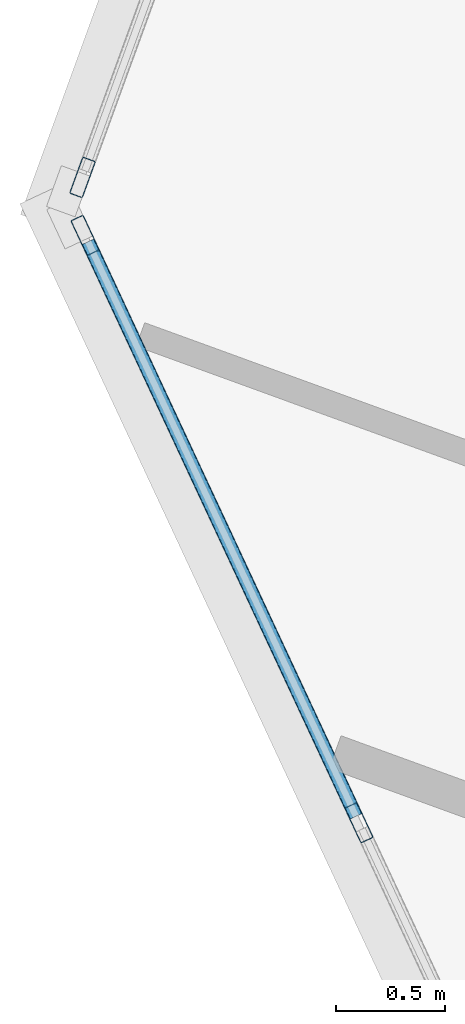
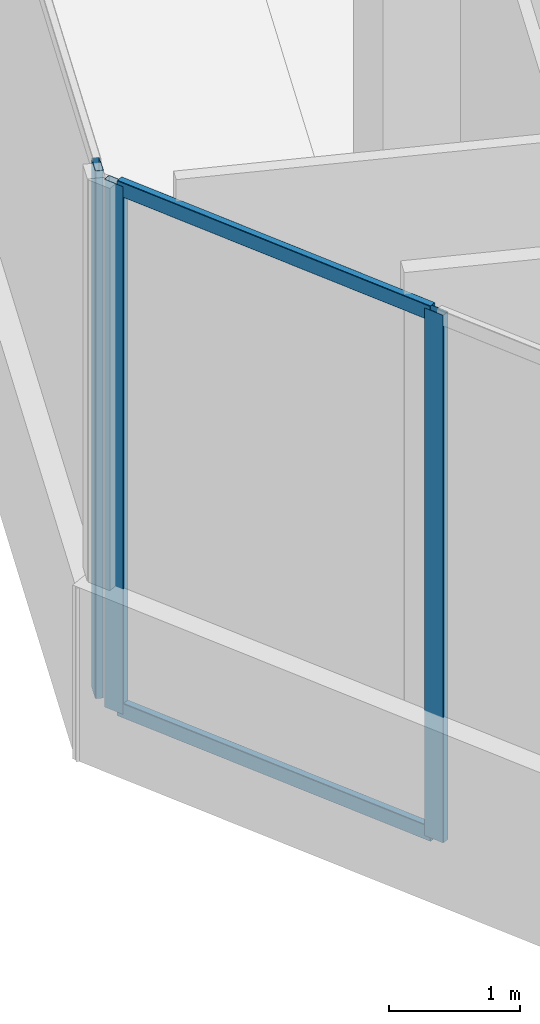
# One storey, part 3 of 21: 5 members, 2 elements without a shape of their own.
"""IFC4 building model written with IfcOpenShell, lengths in metres."""

from ifc_helpers import new_model, si_unit, direction, frame, origin, origin_2d, place, context, subcontext, project, spatial, hollow_rectangle, extrude, source, transform, mapped, material, material_profile, profile_set, type_object, element, aggregate, save


model = new_model("IFC4")

# Units and contexts
model_context = context("Model", 3, precision=1e-05, world=origin(), true_north=direction((0.0, 1.0)))
body_context = subcontext(model_context, "Body", "Model", "MODEL_VIEW")
ifc_project = project(units=[si_unit("LENGTHUNIT", "METRE"), si_unit("AREAUNIT", "SQUARE_METRE"), si_unit("VOLUMEUNIT", "CUBIC_METRE"), si_unit("PLANEANGLEUNIT", "RADIAN"), si_unit("MASSUNIT", "GRAM", prefix="KILO")], contexts=[model_context])

# Site, building, storey
site_placement = place(None, origin())
site = spatial("IfcSite", under=ifc_project, at=site_placement, CompositionType="ELEMENT")
building_placement = place(site_placement, origin())
building = spatial("IfcBuilding", under=site, at=building_placement, Name="Torre Montelarca", CompositionType="ELEMENT")
storey_placement = place(building_placement, frame((0.0, 0.0, 127.60009765625)))
storey = spatial("IfcBuildingStorey", under=building, at=storey_placement, Name="L28", CompositionType="ELEMENT", Elevation=127.60009765625)

# Curtain wall, members
ifc_material_1 = material(Name="Insulated low-E laminated glass", Category="glass")
curtain_wall_type = type_object("IfcCurtainWallType", Name="CW-SYS-Z2", PredefinedType="USERDEFINED", material=ifc_material_1)
curtain_wall_1_placement = place(storey_placement, origin())
curtain_wall_1 = element("IfcCurtainWall", 1, at=curtain_wall_1_placement, inside=storey, type_object=curtain_wall_type, Name="L28 Curtain Wall Run CW-T3-L28-E11-B1", ObjectType="UNITISED GLAZING", PredefinedType="USERDEFINED")
ifc_material_2 = material(Name="Anodised aluminium AA 6063-T6", Category="aluminium")
ifc_material_profile_1 = material_profile(ifc_material_2, hollow_rectangle(XDim=0.06494140625, YDim=0.139892578125, WallThickness=0.00390625, InnerFilletRadius=0.00390625, OuterFilletRadius=0.008056640625, at=origin_2d()), Name="ALU65X140X4", Category="aluminium")
ifc_profile_set_1 = profile_set([ifc_material_profile_1], Name="Anodised aluminium AA 6063-T6")
member_type_1 = type_object("IfcMemberType", Name="CWT-ALU140", PredefinedType="USERDEFINED", material=ifc_profile_set_1)
shared_shape_1 = source(origin(), body_context, "Body", "SweptSolid", [
    extrude(hollow_rectangle(XDim=0.06494140625, YDim=0.139892578125, WallThickness=0.00390625, InnerFilletRadius=0.00390625, OuterFilletRadius=0.008056640625, at=origin_2d()), origin(), (0.0, 0.0, 1.0), 2.918701171875),
])
member_1_placement = place(storey_placement, frame((-2.421875, 26.0517578125, 0.032470703125), z_axis=(0.422587791305, -0.90632199501, 0.0), x_axis=(0.90632199501, 0.422587791305, 0.0)))
member_1 = element("IfcMember", 2, at=member_1_placement, type_object=member_type_1, Name="CW transom 1.1", ObjectType="TRANSOM", PredefinedType="USERDEFINED", context=body_context, shape_type="MappedRepresentation", body=[
    mapped(shared_shape_1, transform((0.0, 0.0, 0.0), scale=1.0)),
])
member_2_placement = place(storey_placement, frame((-2.421875, 26.0517578125, 4.887451171875), z_axis=(0.422587791305, -0.90632199501, 0.0), x_axis=(0.90632199501, 0.422587791305, 0.0)))
member_2 = element("IfcMember", 3, at=member_2_placement, type_object=member_type_1, Name="CW transom 1.2", ObjectType="TRANSOM", PredefinedType="USERDEFINED", context=body_context, shape_type="MappedRepresentation", body=[
    mapped(shared_shape_1, transform((0.0, 0.0, 0.0), scale=1.0)),
])

# Curtain wall, member
curtain_wall_2_placement = place(storey_placement, origin())
curtain_wall_2 = element("IfcCurtainWall", 4, at=curtain_wall_2_placement, inside=storey, type_object=curtain_wall_type, Name="L28 Curtain Wall Run CW-T3-L28-E10-B1", ObjectType="UNITISED GLAZING", PredefinedType="USERDEFINED")
ifc_material_profile_2 = material_profile(ifc_material_2, hollow_rectangle(XDim=0.06494140625, YDim=0.179931640625, WallThickness=0.00390625, InnerFilletRadius=0.00390625, OuterFilletRadius=0.008056640625, at=origin_2d()), Name="ALU65X180X4", Category="aluminium")
ifc_profile_set_2 = profile_set([ifc_material_profile_2], Name="Anodised aluminium AA 6063-T6")
member_type_2 = type_object("IfcMemberType", Name="CWM-ALU180", PredefinedType="MULLION", material=ifc_profile_set_2)
shared_shape_2 = source(origin(), body_context, "Body", "SweptSolid", [
    extrude(hollow_rectangle(XDim=0.06494140625, YDim=0.179931640625, WallThickness=0.00390625, InnerFilletRadius=0.00390625, OuterFilletRadius=0.008056640625, at=origin_2d()), origin(), (0.0, 0.0, 1.0), 4.919921875),
])
member_3_placement = place(storey_placement, frame((-2.447265625, 26.347900390625, 0.0), z_axis=(0.0, 0.0, 1.0), x_axis=(0.939692985234, -0.342019142012, 0.0)))
member_3 = element("IfcMember", 5, at=member_3_placement, type_object=member_type_2, Name="CW mullion 3", PredefinedType="MULLION", context=body_context, shape_type="MappedRepresentation", body=[
    mapped(shared_shape_2, transform((0.0, 0.0, 0.0), scale=1.0)),
])
aggregate(curtain_wall_2, [member_3])

# Member
member_4_placement = place(storey_placement, frame((-2.435546875, 26.0810546875, 0.0), z_axis=(0.0, 0.0, 1.0), x_axis=(0.906317349192, 0.422597755027, 0.0)))
member_4 = element("IfcMember", 6, at=member_4_placement, type_object=member_type_2, Name="CW mullion 1", PredefinedType="MULLION", context=body_context, shape_type="MappedRepresentation", body=[
    mapped(shared_shape_2, transform((0.0, 0.0, 0.0), scale=1.0)),
])

member_5_placement = place(storey_placement, frame((-1.1748046875, 23.376953125, 0.0), z_axis=(0.0, 0.0, 1.0), x_axis=(0.906317349192, 0.422597755027, 0.0)))
member_5 = element("IfcMember", 7, at=member_5_placement, type_object=member_type_2, Name="CW mullion 2", PredefinedType="MULLION", context=body_context, shape_type="MappedRepresentation", body=[
    mapped(shared_shape_2, transform((0.0, 0.0, 0.0), scale=1.0)),
])

aggregate(curtain_wall_1, [member_4, member_5, member_1, member_2])

save(model, "model.ifc")
